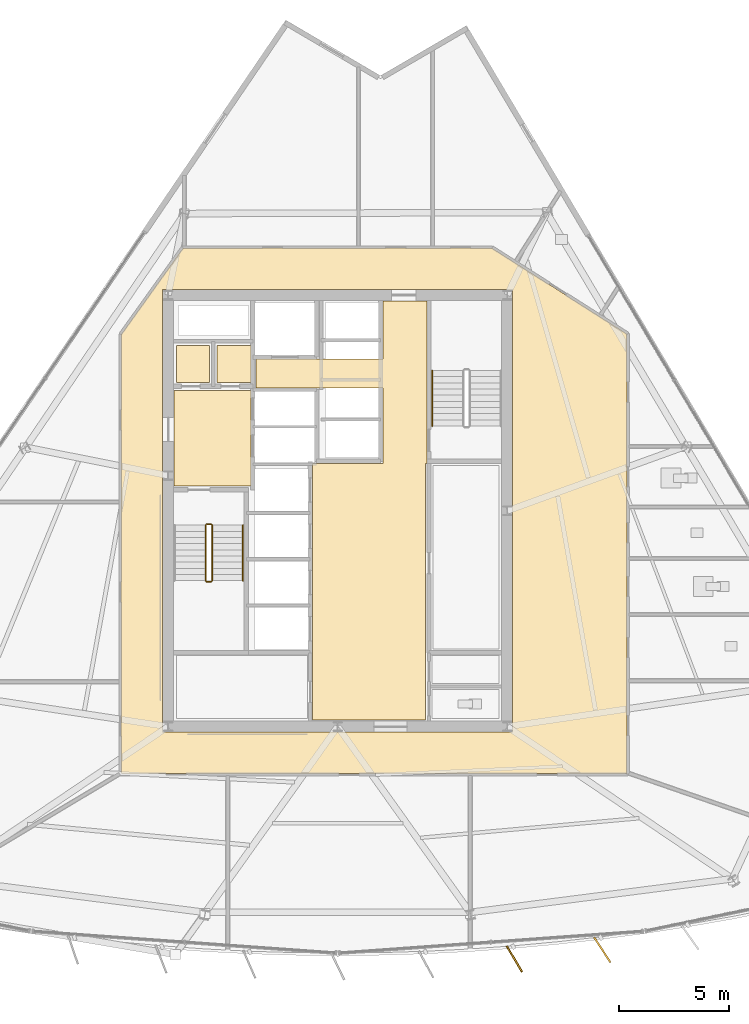
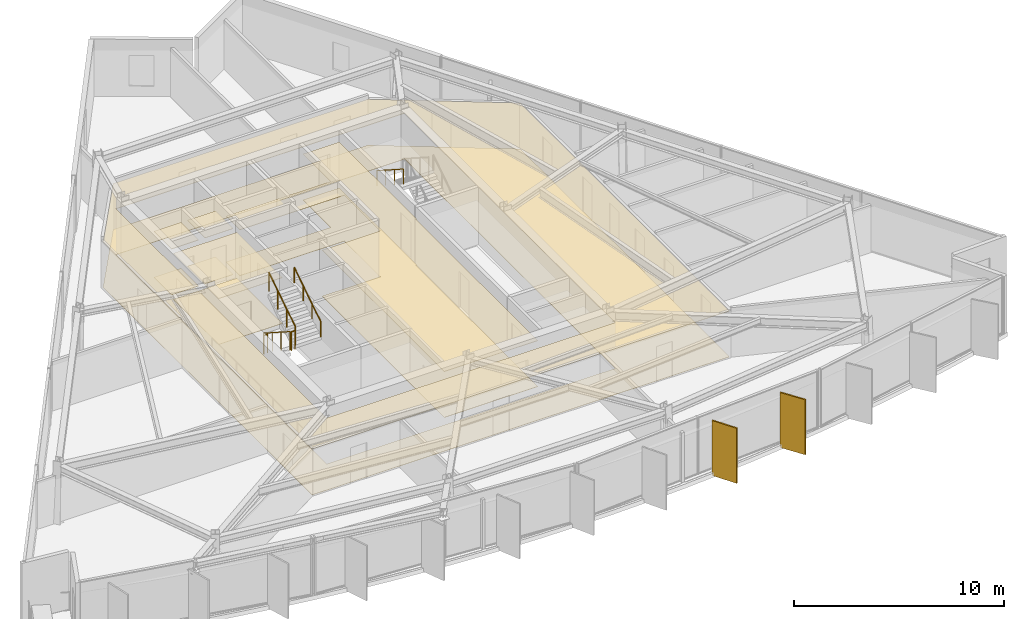
# One storey, part 12 of 15: 10 coverings, 6 railings, 2 shading devices.
"""IFC4 building model written with IfcOpenShell, lengths in metres."""

from ifc_helpers import new_model, si_unit, direction, frame, origin, origin_2d, place, context, subcontext, project, spatial, polyline, rectangle, circle, outline, extrude, material, layer, layer_set, type_object, element, save


model = new_model("IFC4")

# Units and contexts
model_context = context("Model", 3, precision=1e-05, world=origin(), true_north=direction((0.0, 1.0)))
body_context = subcontext(model_context, "Body", "Model", "MODEL_VIEW")
ifc_project = project(units=[si_unit("LENGTHUNIT", "METRE"), si_unit("AREAUNIT", "SQUARE_METRE"), si_unit("VOLUMEUNIT", "CUBIC_METRE"), si_unit("PLANEANGLEUNIT", "RADIAN"), si_unit("MASSUNIT", "GRAM", prefix="KILO")], contexts=[model_context])

# Site, building, storey
site_placement = place(None, origin())
site = spatial("IfcSite", under=ifc_project, at=site_placement, CompositionType="ELEMENT")
building_placement = place(site_placement, origin())
building = spatial("IfcBuilding", under=site, at=building_placement, Name="Savorim Split Tower", CompositionType="ELEMENT")
storey_placement = place(building_placement, frame((0.0, 0.0, 145.800048828125)))
storey = spatial("IfcBuildingStorey", under=building, at=storey_placement, Name="L38", CompositionType="ELEMENT", Elevation=145.800048828125)

# Coverings
ifc_material_1 = material(Name="Mineral Fibre Acoustic Ceiling")
ifc_layer_1 = layer(ifc_material_1, 0.02490234375)
ifc_layer_set_1 = layer_set([ifc_layer_1], Name="COV-CEIL-25")
covering_type_1 = type_object("IfcCoveringType", Name="COV-CEIL-25", PredefinedType="CEILING", material=ifc_layer_set_1)
covering_1_placement = place(storey_placement, frame((0.0, 0.0, 2.669921875)))
element("IfcCovering", 1, at=covering_1_placement, inside=storey, type_object=covering_type_1, Name="L38 Firefighting Lift Lobby Acoustic Ceiling", PredefinedType="CEILING", context=body_context, shape_type="SweptSolid", body=[
    extrude(outline(polyline([(-7.429931640625, 5.8701171875), (-7.429931640625, 1.530029296875), (-3.929931640625, 1.530029296875), (-3.929931640625, 5.8701171875), (-7.429931640625, 5.8701171875)])), origin(), (0.0, 0.0, 1.0), 0.025146484375),
])
covering_2_placement = place(storey_placement, frame((0.0, 0.0, 2.669921875)))
element("IfcCovering", 2, at=covering_2_placement, inside=storey, type_object=covering_type_1, Name="L38 Electrical Riser Acoustic Ceiling", PredefinedType="CEILING", context=body_context, shape_type="SweptSolid", body=[
    extrude(outline(polyline([(-7.320068359375, 7.919921875), (-7.320068359375, 6.22998046875), (-5.830078125, 6.22998046875), (-5.830078125, 7.919921875), (-7.320068359375, 7.919921875)])), origin(), (0.0, 0.0, 1.0), 0.025146484375),
])
covering_3_placement = place(storey_placement, frame((0.0, 0.0, 2.669921875)))
element("IfcCovering", 3, at=covering_3_placement, inside=storey, type_object=covering_type_1, Name="L38 Telecom Riser Acoustic Ceiling", PredefinedType="CEILING", context=body_context, shape_type="SweptSolid", body=[
    extrude(outline(polyline([(-5.469970703125, 7.919921875), (-5.469970703125, 6.22998046875), (-3.929931640625, 6.22998046875), (-3.929931640625, 7.919921875), (-5.469970703125, 7.919921875)])), origin(), (0.0, 0.0, 1.0), 0.025146484375),
])
covering_4_placement = place(storey_placement, frame((0.0, 0.0, 2.669921875)))
element("IfcCovering", 4, at=covering_4_placement, inside=storey, type_object=covering_type_1, Name="L38 Lift Lobby Acoustic Ceiling", PredefinedType="CEILING", context=body_context, shape_type="SweptSolid", body=[
    extrude(outline(polyline([(2.050048828125, 2.550048828125), (-1.14990234375, 2.550048828125), (-1.14990234375, -9.10009765625), (4.0, -9.10009765625), (4.0, 2.550048828125), (4.050048828125, 2.550048828125), (4.050048828125, 5.97998046875), (4.050048828125, 7.300048828125), (4.050048828125, 9.929931640625), (2.050048828125, 9.929931640625), (2.050048828125, 7.300048828125), (-3.699951171875, 7.300048828125), (-3.699951171875, 5.97998046875), (2.050048828125, 5.97998046875), (2.050048828125, 2.550048828125)])), origin(), (0.0, 0.0, 1.0), 0.025146484375),
])
covering_5_placement = place(storey_placement, frame((0.0, 0.0, 2.669921875)))
element("IfcCovering", 5, at=covering_5_placement, inside=storey, type_object=covering_type_1, Name="L38 Corridor Acoustic Ceiling", PredefinedType="CEILING", context=body_context, shape_type="SweptSolid", body=[
    extrude(outline(polyline([(7.009521484375, 12.3291015625), (7.004638671875, 12.329833984375), (7.0, 12.330078125), (-7.0, 12.330078125), (-7.004638671875, 12.329833984375), (-7.009521484375, 12.3291015625), (-7.013916015625, 12.327880859375), (-7.0185546875, 12.326416015625), (-7.022705078125, 12.324462890625), (-7.027099609375, 12.322021484375), (-7.03076171875, 12.3193359375), (-7.034423828125, 12.31640625), (-7.03759765625, 12.312744140625), (-7.04052734375, 12.30908203125), (-9.820556640625, 8.42919921875), (-9.823486328125, 8.4248046875), (-9.82568359375, 8.420166015625), (-9.82763671875, 8.415283203125), (-9.828857421875, 8.410400390625), (-9.82958984375, 8.4052734375), (-9.830078125, 8.39990234375), (-9.830078125, -11.47998046875), (-9.829833984375, -11.48486328125), (-9.8291015625, -11.48974609375), (-9.827880859375, -11.494384765625), (-9.826171875, -11.4990234375), (-9.82421875, -11.503662109375), (-9.821533203125, -11.5078125), (-9.818603515625, -11.51171875), (-9.8154296875, -11.515380859375), (-9.811767578125, -11.518798828125), (-9.807861328125, -11.521484375), (-9.8037109375, -11.524169921875), (-9.799072265625, -11.526123046875), (-9.79443359375, -11.52783203125), (-9.789794921875, -11.529052734375), (-9.784912109375, -11.52978515625), (-9.780029296875, -11.530029296875), (13.10009765625, -11.530029296875), (13.10498046875, -11.52978515625), (13.10986328125, -11.529052734375), (13.114501953125, -11.52783203125), (13.119140625, -11.526123046875), (13.12353515625, -11.524169921875), (13.127685546875, -11.521484375), (13.131591796875, -11.518798828125), (13.135498046875, -11.515380859375), (13.138671875, -11.51171875), (13.1416015625, -11.5078125), (13.14404296875, -11.503662109375), (13.146240234375, -11.4990234375), (13.147705078125, -11.494384765625), (13.14892578125, -11.48974609375), (13.14990234375, -11.48486328125), (13.14990234375, -11.47998046875), (13.14990234375, 8.39990234375), (13.149658203125, 8.405029296875), (13.14892578125, 8.409912109375), (13.147705078125, 8.414794921875), (13.14599609375, 8.41943359375), (13.143798828125, 8.424072265625), (13.14111328125, 8.42822265625), (13.13818359375, 8.432373046875), (13.134765625, 8.43603515625), (13.130859375, 8.439208984375), (13.126708984375, 8.442138671875), (7.02685546875, 12.322265625), (7.022705078125, 12.324462890625), (7.018310546875, 12.326416015625), (7.013916015625, 12.327880859375), (7.009521484375, 12.3291015625)]), holes=[polyline([(-7.949951171875, 10.449951171875), (-7.949951171875, -9.64990234375), (7.949951171875, -9.64990234375), (7.949951171875, 10.449951171875), (-7.949951171875, 10.449951171875)])]), origin(), (0.0, 0.0, 1.0), 0.025146484375),
])
ifc_material_2 = material(Name="Porcelain Stoneware Flooring", Category="masonry")
ifc_layer_2 = layer(ifc_material_2, 0.02001953125)
ifc_layer_set_2 = layer_set([ifc_layer_2], Name="COV-FLOR-20")
covering_type_2 = type_object("IfcCoveringType", Name="COV-FLOR-20", PredefinedType="FLOORING", material=ifc_layer_set_2)
covering_6_placement = place(storey_placement, origin())
element("IfcCovering", 6, at=covering_6_placement, inside=storey, type_object=covering_type_2, Name="L38 Firefighting Lift Lobby Porcelain Flooring", PredefinedType="FLOORING", context=body_context, shape_type="SweptSolid", body=[
    extrude(outline(polyline([(-7.429931640625, 5.8701171875), (-7.429931640625, 1.530029296875), (-3.929931640625, 1.530029296875), (-3.929931640625, 5.8701171875), (-7.429931640625, 5.8701171875)])), origin(), (0.0, 0.0, 1.0), 0.02001953125),
])
covering_7_placement = place(storey_placement, origin())
element("IfcCovering", 7, at=covering_7_placement, inside=storey, type_object=covering_type_2, Name="L38 Electrical Riser Porcelain Flooring", PredefinedType="FLOORING", context=body_context, shape_type="SweptSolid", body=[
    extrude(outline(polyline([(-7.320068359375, 7.919921875), (-7.320068359375, 6.22998046875), (-5.830078125, 6.22998046875), (-5.830078125, 7.919921875), (-7.320068359375, 7.919921875)])), origin(), (0.0, 0.0, 1.0), 0.02001953125),
])
covering_8_placement = place(storey_placement, origin())
element("IfcCovering", 8, at=covering_8_placement, inside=storey, type_object=covering_type_2, Name="L38 Telecom Riser Porcelain Flooring", PredefinedType="FLOORING", context=body_context, shape_type="SweptSolid", body=[
    extrude(outline(polyline([(-5.469970703125, 7.919921875), (-5.469970703125, 6.22998046875), (-3.929931640625, 6.22998046875), (-3.929931640625, 7.919921875), (-5.469970703125, 7.919921875)])), origin(), (0.0, 0.0, 1.0), 0.02001953125),
])
covering_9_placement = place(storey_placement, origin())
element("IfcCovering", 9, at=covering_9_placement, inside=storey, type_object=covering_type_2, Name="L38 Lift Lobby Porcelain Flooring", PredefinedType="FLOORING", context=body_context, shape_type="SweptSolid", body=[
    extrude(outline(polyline([(2.050048828125, 2.550048828125), (-1.14990234375, 2.550048828125), (-1.14990234375, -9.10009765625), (4.0, -9.10009765625), (4.0, 2.550048828125), (4.050048828125, 2.550048828125), (4.050048828125, 5.97998046875), (4.050048828125, 7.300048828125), (4.050048828125, 9.929931640625), (2.050048828125, 9.929931640625), (2.050048828125, 7.300048828125), (-3.699951171875, 7.300048828125), (-3.699951171875, 5.97998046875), (2.050048828125, 5.97998046875), (2.050048828125, 2.550048828125)])), origin(), (0.0, 0.0, 1.0), 0.02001953125),
])
covering_10_placement = place(storey_placement, origin())
element("IfcCovering", 10, at=covering_10_placement, inside=storey, type_object=covering_type_2, Name="L38 Corridor Porcelain Flooring", PredefinedType="FLOORING", context=body_context, shape_type="SweptSolid", body=[
    extrude(outline(polyline([(7.009521484375, 12.3291015625), (7.004638671875, 12.329833984375), (7.0, 12.330078125), (-7.0, 12.330078125), (-7.004638671875, 12.329833984375), (-7.009521484375, 12.3291015625), (-7.013916015625, 12.327880859375), (-7.0185546875, 12.326416015625), (-7.022705078125, 12.324462890625), (-7.027099609375, 12.322021484375), (-7.03076171875, 12.3193359375), (-7.034423828125, 12.31640625), (-7.03759765625, 12.312744140625), (-7.04052734375, 12.30908203125), (-9.820556640625, 8.42919921875), (-9.823486328125, 8.4248046875), (-9.82568359375, 8.420166015625), (-9.82763671875, 8.415283203125), (-9.828857421875, 8.410400390625), (-9.82958984375, 8.4052734375), (-9.830078125, 8.39990234375), (-9.830078125, -11.47998046875), (-9.829833984375, -11.48486328125), (-9.8291015625, -11.48974609375), (-9.827880859375, -11.494384765625), (-9.826171875, -11.4990234375), (-9.82421875, -11.503662109375), (-9.821533203125, -11.5078125), (-9.818603515625, -11.51171875), (-9.8154296875, -11.515380859375), (-9.811767578125, -11.518798828125), (-9.807861328125, -11.521484375), (-9.8037109375, -11.524169921875), (-9.799072265625, -11.526123046875), (-9.79443359375, -11.52783203125), (-9.789794921875, -11.529052734375), (-9.784912109375, -11.52978515625), (-9.780029296875, -11.530029296875), (13.10009765625, -11.530029296875), (13.10498046875, -11.52978515625), (13.10986328125, -11.529052734375), (13.114501953125, -11.52783203125), (13.119140625, -11.526123046875), (13.12353515625, -11.524169921875), (13.127685546875, -11.521484375), (13.131591796875, -11.518798828125), (13.135498046875, -11.515380859375), (13.138671875, -11.51171875), (13.1416015625, -11.5078125), (13.14404296875, -11.503662109375), (13.146240234375, -11.4990234375), (13.147705078125, -11.494384765625), (13.14892578125, -11.48974609375), (13.14990234375, -11.48486328125), (13.14990234375, -11.47998046875), (13.14990234375, 8.39990234375), (13.149658203125, 8.405029296875), (13.14892578125, 8.409912109375), (13.147705078125, 8.414794921875), (13.14599609375, 8.41943359375), (13.143798828125, 8.424072265625), (13.14111328125, 8.42822265625), (13.13818359375, 8.432373046875), (13.134765625, 8.43603515625), (13.130859375, 8.439208984375), (13.126708984375, 8.442138671875), (7.02685546875, 12.322265625), (7.022705078125, 12.324462890625), (7.018310546875, 12.326416015625), (7.013916015625, 12.327880859375), (7.009521484375, 12.3291015625)]), holes=[polyline([(-7.949951171875, 10.449951171875), (-7.949951171875, -9.64990234375), (7.949951171875, -9.64990234375), (7.949951171875, 10.449951171875), (-7.949951171875, 10.449951171875)])]), origin(), (0.0, 0.0, 1.0), 0.02001953125),
])

# Railings
ifc_material_3 = material(Name="Galvanised Painted Steel Balustrade", Category="steel")
railing_type_1 = type_object("IfcRailingType", Name="RLG-HR-900", PredefinedType="HANDRAIL", material=ifc_material_3)
railing_1_placement = place(storey_placement, frame((-4.300048828125, -2.77001953125, 1.97998046875)))
element("IfcRailing", 11, at=railing_1_placement, inside=storey, type_object=railing_type_1, Name="L38 ST-1 stair handrail 2", PredefinedType="HANDRAIL", context=body_context, shape_type="SweptSolid", body=[
    extrude(circle(Radius=0.02392578125, at=origin_2d()), frame((0.0, 0.0, 0.8759765625), z_axis=(0.0, 0.841199657755, 0.540724639528), x_axis=(-1.0, 0.0, 0.0)), (0.0, 0.0, 1.0), 2.995849609375),
    extrude(circle(Radius=0.02099609375, at=origin_2d()), origin(), (0.0, 0.0, 1.0), 0.851806640625),
    extrude(circle(Radius=0.02099609375, at=origin_2d()), frame((0.0, 0.840087890625, 0.5400390625)), (0.0, 0.0, 1.0), 0.851806640625),
    extrude(circle(Radius=0.02099609375, at=origin_2d()), frame((0.0, 1.679931640625, 1.079833984375)), (0.0, 0.0, 1.0), 0.851806640625),
    extrude(circle(Radius=0.02099609375, at=origin_2d()), frame((0.0, 2.52001953125, 1.619873046875)), (0.0, 0.0, 1.0), 0.851806640625),
])
railing_2_placement = place(storey_placement, frame((4.300048828125, 6.77001953125, 1.97998046875)))
element("IfcRailing", 12, at=railing_2_placement, inside=storey, type_object=railing_type_1, Name="L38 ST-2 stair handrail 2", PredefinedType="HANDRAIL", context=body_context, shape_type="SweptSolid", body=[
    extrude(circle(Radius=0.02392578125, at=origin_2d()), frame((0.0, 0.0, 0.8759765625), z_axis=(0.0, -0.841199657755, 0.540724639528), x_axis=(1.0, 0.0, 0.0)), (0.0, 0.0, 1.0), 2.995849609375),
    extrude(circle(Radius=0.02099609375, at=origin_2d()), origin(), (0.0, 0.0, 1.0), 0.851806640625),
    extrude(circle(Radius=0.02099609375, at=origin_2d()), frame((0.0, -0.840087890625, 0.5400390625)), (0.0, 0.0, 1.0), 0.851806640625),
    extrude(circle(Radius=0.02099609375, at=origin_2d()), frame((0.0, -1.679931640625, 1.079833984375)), (0.0, 0.0, 1.0), 0.851806640625),
    extrude(circle(Radius=0.02099609375, at=origin_2d()), frame((0.0, -2.52001953125, 1.619873046875)), (0.0, 0.0, 1.0), 0.851806640625),
])
railing_type_2 = type_object("IfcRailingType", Name="RLG-STG-1100", PredefinedType="BALUSTRADE", material=ifc_material_3)
railing_3_placement = place(storey_placement, frame((-6.0, -0.25, 0.179931640625)))
element("IfcRailing", 13, at=railing_3_placement, inside=storey, type_object=railing_type_2, Name="L38 ST-1 stair guard 1", PredefinedType="BALUSTRADE", context=body_context, shape_type="SweptSolid", body=[
    extrude(circle(Radius=0.02392578125, at=origin_2d()), frame((0.0, 0.0, 1.076171875), z_axis=(0.0, -0.841162588446, 0.540782303519), x_axis=(1.0, 0.0, 0.0)), (0.0, 0.0, 1.0), 2.995849609375),
    extrude(circle(Radius=0.02099609375, at=origin_2d()), origin(), (0.0, 0.0, 1.0), 1.052001953125),
    extrude(circle(Radius=0.02099609375, at=origin_2d()), frame((0.0, -0.840087890625, 0.5400390625)), (0.0, 0.0, 1.0), 1.052001953125),
    extrude(circle(Radius=0.02099609375, at=origin_2d()), frame((0.0, -1.679931640625, 1.080078125)), (0.0, 0.0, 1.0), 1.052001953125),
    extrude(circle(Radius=0.02099609375, at=origin_2d()), frame((0.0, -2.52001953125, 1.6201171875)), (0.0, 0.0, 1.0), 1.052001953125),
])
railing_4_placement = place(storey_placement, frame((-5.949951171875, -2.820068359375, 1.800048828125)))
element("IfcRailing", 14, at=railing_4_placement, inside=storey, type_object=railing_type_2, Name="L38 ST-1 stair guard 2", PredefinedType="BALUSTRADE", context=body_context, shape_type="SweptSolid", body=[
    extrude(circle(Radius=0.02392578125, at=origin_2d()), frame((0.0, 0.0, 1.076171875), z_axis=(1.0, 0.0, 0.0), x_axis=(0.0, 1.0, 0.0)), (0.0, 0.0, 1.0), 0.199951171875),
    extrude(circle(Radius=0.02099609375, at=origin_2d()), origin(), (0.0, 0.0, 1.0), 1.052001953125),
    extrude(circle(Radius=0.02099609375, at=origin_2d()), frame((0.199951171875, 0.0, 0.0)), (0.0, 0.0, 1.0), 1.052001953125),
])
railing_5_placement = place(storey_placement, frame((-5.699951171875, -2.77001953125, 1.97998046875)))
element("IfcRailing", 15, at=railing_5_placement, inside=storey, type_object=railing_type_2, Name="L38 ST-1 stair guard 3", PredefinedType="BALUSTRADE", context=body_context, shape_type="SweptSolid", body=[
    extrude(circle(Radius=0.02392578125, at=origin_2d()), frame((0.0, 0.0, 1.076171875), z_axis=(0.0, 0.841199657755, 0.540724639528), x_axis=(-1.0, 0.0, 0.0)), (0.0, 0.0, 1.0), 2.995849609375),
    extrude(circle(Radius=0.02099609375, at=origin_2d()), origin(), (0.0, 0.0, 1.0), 1.052001953125),
    extrude(circle(Radius=0.02099609375, at=origin_2d()), frame((0.0, 0.840087890625, 0.5400390625)), (0.0, 0.0, 1.0), 1.052001953125),
    extrude(circle(Radius=0.02099609375, at=origin_2d()), frame((0.0, 1.679931640625, 1.079833984375)), (0.0, 0.0, 1.0), 1.052001953125),
    extrude(circle(Radius=0.02099609375, at=origin_2d()), frame((0.0, 2.52001953125, 1.619873046875)), (0.0, 0.0, 1.0), 1.052001953125),
])
railing_6_placement = place(storey_placement, frame((-5.949951171875, -0.199951171875, 0.0)))
element("IfcRailing", 16, at=railing_6_placement, inside=storey, type_object=railing_type_2, Name="L38 ST-1 stair guard 4", PredefinedType="BALUSTRADE", context=body_context, shape_type="SweptSolid", body=[
    extrude(circle(Radius=0.02392578125, at=origin_2d()), frame((0.0, 0.0, 1.076171875), z_axis=(1.0, 0.0, 0.0), x_axis=(0.0, 1.0, 0.0)), (0.0, 0.0, 1.0), 0.199951171875),
    extrude(circle(Radius=0.02099609375, at=origin_2d()), origin(), (0.0, 0.0, 1.0), 1.052001953125),
    extrude(circle(Radius=0.02099609375, at=origin_2d()), frame((0.199951171875, 0.0, 0.0)), (0.0, 0.0, 1.0), 1.052001953125),
])

# Shading devices
ifc_material_4 = material(Name="Terracotta Ceramic-Coated Aluminium Fin", Category="masonry")
shading_device_type = type_object("IfcShadingDeviceType", Name="SHD-FIN-1360", PredefinedType="USERDEFINED", material=ifc_material_4)
for number, where, z_axis, x_axis, name in (
    (17, (8.0234375, -19.948974609375, -0.2001953125), (0.0, 0.0, 1.0), (0.510391336723, -0.859942255851, 0.0), "L38 Sawtooth Shading Fin 09"),
    (18, (12.0185546875, -19.538818359375, -0.2001953125), (0.0, 0.0, 1.0), (0.545148321708, -0.838339613366, 0.0), "L38 Sawtooth Shading Fin 10"),
):
    element("IfcShadingDevice", number, at=place(storey_placement, frame(where, z_axis=z_axis, x_axis=x_axis)), inside=storey, type_object=shading_device_type, Name=name, ObjectType="FIN", PredefinedType="USERDEFINED", context=body_context, shape_type="SweptSolid", body=[
        extrude(rectangle(XDim=1.360107421875, YDim=0.080078125, at=origin_2d()), origin(), (0.0, 0.0, 1.0), 3.199951171875),
    ])

save(model, "model.ifc")
